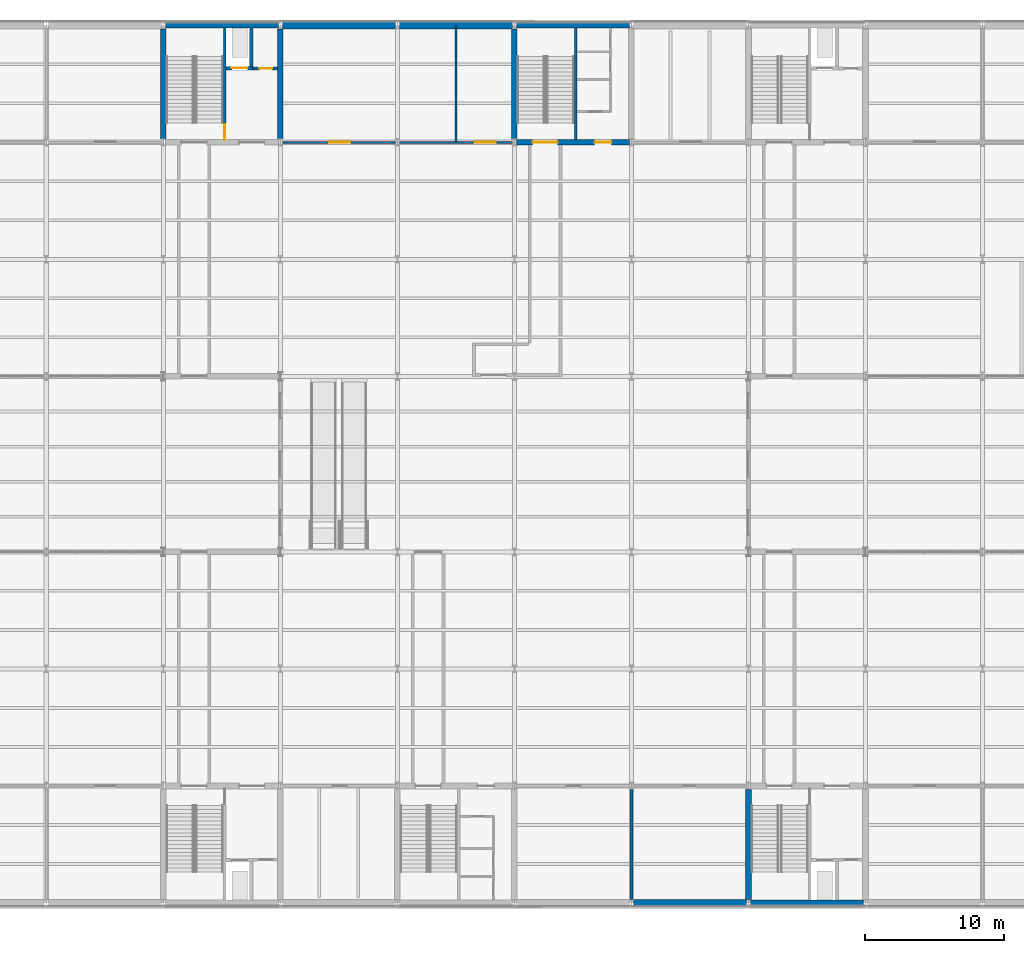
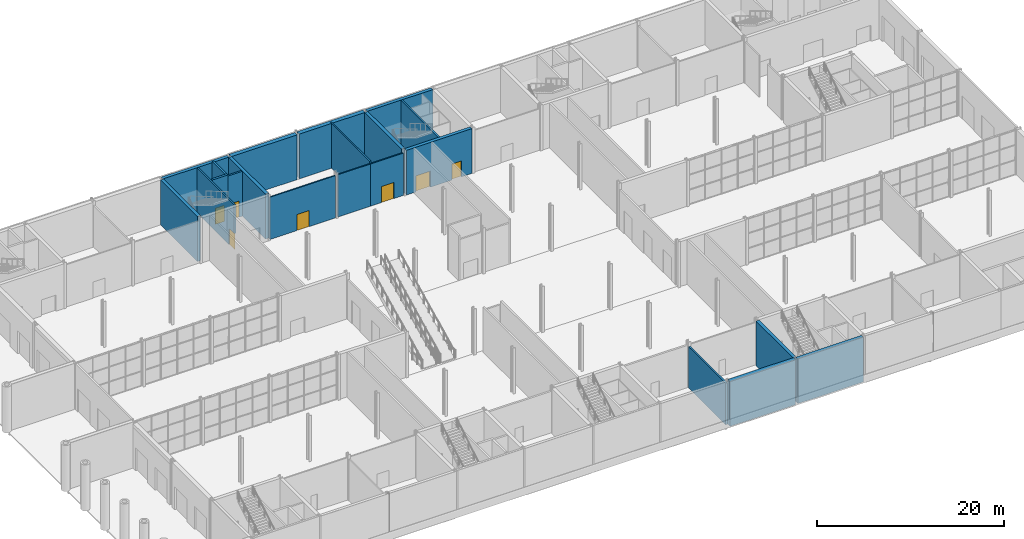
# One storey, part 33 of 55: 21 walls, 7 doors, 7 openings.
"""IFC4 building model written with IfcOpenShell, lengths in metres."""

from ifc_helpers import new_model, si_unit, direction, frame, frame_2d, origin, place, context, subcontext, project, spatial, rectangle, extrude, material, layer, layer_set, type_object, element, fill, save


model = new_model("IFC4")

# Units and contexts
model_context = context("Model", 3, precision=1e-05, world=origin(), true_north=direction((0.0, 1.0)))
body_context = subcontext(model_context, "Body", "Model", "MODEL_VIEW")
ifc_project = project(units=[si_unit("LENGTHUNIT", "METRE"), si_unit("AREAUNIT", "SQUARE_METRE"), si_unit("VOLUMEUNIT", "CUBIC_METRE"), si_unit("PLANEANGLEUNIT", "RADIAN"), si_unit("MASSUNIT", "GRAM", prefix="KILO")], contexts=[model_context])

# Site, building, storey
site_placement = place(None, origin())
site = spatial("IfcSite", under=ifc_project, at=site_placement, CompositionType="ELEMENT")
building_placement = place(site_placement, origin())
building = spatial("IfcBuilding", under=site, at=building_placement, Name="Galleria Vessillo Department Store", CompositionType="ELEMENT")
storey_placement = place(building_placement, origin())
storey = spatial("IfcBuildingStorey", under=building, at=storey_placement, Name="L00", CompositionType="ELEMENT", Elevation=0.0)

# Wall, opening, door
ifc_material_1 = material(Name="Solid clay block masonry", Category="masonry")
ifc_layer_1 = layer(ifc_material_1, 0.25)
ifc_layer_set_1 = layer_set([ifc_layer_1], Name="Solid clay block masonry")
wall_type_1 = type_object("IfcWallType", Name="Lift shaft wall 250 mm", PredefinedType="SOLIDWALL", material=ifc_layer_set_1)
wall_1_placement = place(storey_placement, frame((38.10009765625, 59.925048828125, 0.0), z_axis=(0.0, 0.0, 1.0), x_axis=(1.0, 0.0, 0.0)))
wall_1 = element("IfcWall", 1, at=wall_1_placement, inside=storey, type_object=wall_type_1, Name="Lift shaft wall LP4 landing side L00", PredefinedType="SOLIDWALL", context=body_context, shape_type="SweptSolid", body=[
    extrude(rectangle(XDim=1.949951171875, YDim=0.25, at=frame_2d((0.97509765625, 0.0))), origin(), (0.0, 0.0, 1.0), 6.0),
])
opening_1_placement = place(wall_1_placement, frame((0.4248046875, 0.0, 0.0)))
opening_1 = element("IfcOpeningElement", 2, at=opening_1_placement, cuts=wall_1, Name="Opening LD027", PredefinedType="OPENING", context=body_context, shape_type="SweptSolid", body=[
    extrude(rectangle(XDim=1.10009765625, YDim=2.10009765625, at=frame_2d((0.550048828125, 1.050048828125))), frame((0.0, 0.135009765625, 0.0), z_axis=(0.0, -1.0, 0.0), x_axis=(1.0, 0.0, 0.0)), (0.0, 0.0, 1.0), 0.27001953125),
])
ifc_material_2 = material(Name="Stainless steel lift door panel", Category="steel")
door_type_1 = type_object("IfcDoorType", Name="Lift landing door LD110 sliding 1100 x 2100", OperationType="SLIDING_TO_LEFT", PredefinedType="DOOR", material=ifc_material_2)
door_1_placement = place(opening_1_placement, frame((1.10009765625, 0.0, 0.0), z_axis=(0.0, 0.0, 1.0), x_axis=(-1.0, 0.0, 0.0)))
door_1 = element("IfcDoor", 3, at=door_1_placement, inside=storey, type_object=door_type_1, Name="Lift landing door LP4 L00", OperationType="SLIDING_TO_RIGHT", OverallHeight=2.10009765625, OverallWidth=1.10009765625, PredefinedType="DOOR", context=body_context, shape_type="SweptSolid", body=[
    extrude(rectangle(XDim=1.10009765625, YDim=2.10009765625, at=frame_2d((0.550048828125, 1.050048828125))), frame((0.0, 0.02490234375, 0.0), z_axis=(0.0, -1.0, 0.0), x_axis=(1.0, 0.0, 0.0)), (0.0, 0.0, 1.0), 0.050048828125),
])
fill(opening_1, door_1)

# Walls
wall_2_placement = place(storey_placement, frame((39.925048828125, 62.800048828125, 0.0), z_axis=(0.0, 0.0, 1.0), x_axis=(0.0, -1.0, 0.0)))
element("IfcWall", 4, at=wall_2_placement, inside=storey, type_object=wall_type_1, Name="Lift shaft wall LP4 L00", PredefinedType="SOLIDWALL", context=body_context, shape_type="SweptSolid", body=[
    extrude(rectangle(XDim=2.75, YDim=0.25, at=frame_2d((1.375, 0.0))), origin(), (0.0, 0.0, 1.0), 6.0),
])
ifc_material_3 = material(Name="Concrete C32/40 reinforced", Category="concrete")
ifc_layer_2 = layer(ifc_material_3, 0.39990234375)
ifc_layer_set_2 = layer_set([ifc_layer_2], Name="Concrete C32/40 reinforced")
wall_type_2 = type_object("IfcWallType", Name="Reinforced concrete core wall 400 mm", PredefinedType="SHEAR", material=ifc_layer_set_2)
for number, where, z_axis, x_axis, name in (
    (5, (33.60009765625, 54.85009765625, 0.0), (0.0, 0.0, 1.0), (0.0, 1.0, 0.0), "S-CW-PC-NM-WEST-L00"),
    (6, (42.0, 54.85009765625, 0.0), (0.0, 0.0, 1.0), (0.0, 1.0, 0.0), "S-CW-PC-NM-EAST-L00"),
    (7, (75.60009765625, 0.25, 0.0), (0.0, 0.0, 1.0), (0.0, 1.0, 0.0), "S-CW-PC-SE-WEST-L00"),
):
    element("IfcWall", number, at=place(storey_placement, frame(where, z_axis=z_axis, x_axis=x_axis)), inside=storey, type_object=wall_type_2, Name=name, PredefinedType="SHEAR", context=body_context, shape_type="SweptSolid", body=[
        extrude(rectangle(XDim=7.89990234375, YDim=0.39990234375, at=frame_2d((3.949951171875, 0.0))), origin(), (0.0, 0.0, 1.0), 5.85009765625),
    ])

# Wall, openings, doors
wall_3_placement = place(storey_placement, frame((58.949951171875, 54.60009765625, 0.0), z_axis=(0.0, 0.0, 1.0), x_axis=(1.0, 0.0, 0.0)))
wall_3 = element("IfcWall", 8, at=wall_3_placement, inside=storey, type_object=wall_type_2, Name="S-CW-PC-NC-INTERIOR-L00", PredefinedType="SHEAR", context=body_context, shape_type="SweptSolid", body=[
    extrude(rectangle(XDim=8.10009765625, YDim=0.39990234375, at=frame_2d((4.050048828125, 0.0))), origin(), (0.0, 0.0, 1.0), 5.85009765625),
])
opening_2_placement = place(wall_3_placement, frame((5.599853515625, 0.0, 0.0)))
opening_2 = element("IfcOpeningElement", 9, at=opening_2_placement, cuts=wall_3, Name="Opening D5208", PredefinedType="OPENING", context=body_context, shape_type="SweptSolid", body=[
    extrude(rectangle(XDim=1.199951171875, YDim=2.10009765625, at=frame_2d((0.60009765625, 1.050048828125))), frame((0.0, 0.2099609375, 0.0), z_axis=(0.0, -1.0, 0.0), x_axis=(1.0, 0.0, 0.0)), (0.0, 0.0, 1.0), 0.419921875),
])
opening_3_placement = place(wall_3_placement, frame((1.14990234375, 0.0, 0.0)))
opening_3 = element("IfcOpeningElement", 10, at=opening_3_placement, cuts=wall_3, Name="Opening D5348", PredefinedType="OPENING", context=body_context, shape_type="SweptSolid", body=[
    extrude(rectangle(XDim=1.800048828125, YDim=2.10009765625, at=frame_2d((0.89990234375, 1.050048828125))), frame((0.0, 0.2099609375, 0.0), z_axis=(0.0, -1.0, 0.0), x_axis=(1.0, 0.0, 0.0)), (0.0, 0.0, 1.0), 0.419921875),
])
ifc_material_4 = material(Name="Fire-rated steel door leaf", Category="steel")
door_type_2 = type_object("IfcDoorType", Name="Door D120F fire door 1200 x 2100", OperationType="SINGLE_SWING_LEFT", PredefinedType="DOOR", material=ifc_material_4)
door_2_placement = place(opening_2_placement, origin())
door_2 = element("IfcDoor", 11, at=door_2_placement, inside=storey, type_object=door_type_2, Name="Lobby door PC-NC-WC-FLOOR L00", OperationType="SINGLE_SWING_LEFT", OverallHeight=2.10009765625, OverallWidth=1.199951171875, PredefinedType="DOOR", context=body_context, shape_type="SweptSolid", body=[
    extrude(rectangle(XDim=1.199951171875, YDim=2.10009765625, at=frame_2d((0.60009765625, 1.050048828125))), frame((0.0, 0.02490234375, 0.0), z_axis=(0.0, -1.0, 0.0), x_axis=(1.0, 0.0, 0.0)), (0.0, 0.0, 1.0), 0.050048828125),
])
fill(opening_2, door_2)
ifc_material_5 = material(Name="Fire-rated steel door leaf", Category="steel")
door_type_3 = type_object("IfcDoorType", Name="Door D180F double leaf 1800 x 2100", OperationType="DOUBLE_DOOR_SINGLE_SWING", PredefinedType="DOOR", material=ifc_material_5)
door_3_placement = place(opening_3_placement, frame((1.800048828125, 0.0, 0.0), z_axis=(0.0, 0.0, 1.0), x_axis=(-1.0, 0.0, 0.0)))
door_3 = element("IfcDoor", 12, at=door_3_placement, inside=storey, type_object=door_type_3, Name="Stair exit door X-ST11", OperationType="DOUBLE_DOOR_SINGLE_SWING", OverallHeight=2.10009765625, OverallWidth=1.800048828125, PredefinedType="DOOR", context=body_context, shape_type="SweptSolid", body=[
    extrude(rectangle(XDim=1.800048828125, YDim=2.10009765625, at=frame_2d((0.89990234375, 1.050048828125))), frame((0.0, 0.02490234375, 0.0), z_axis=(0.0, -1.0, 0.0), x_axis=(1.0, 0.0, 0.0)), (0.0, 0.0, 1.0), 0.050048828125),
])
fill(opening_3, door_3)

# Walls
wall_4_placement = place(storey_placement, frame((58.800048828125, 54.85009765625, 0.0), z_axis=(0.0, 0.0, 1.0), x_axis=(0.0, 1.0, 0.0)))
element("IfcWall", 13, at=wall_4_placement, inside=storey, type_object=wall_type_2, Name="S-CW-PC-NC-WEST-L00", PredefinedType="SHEAR", context=body_context, shape_type="SweptSolid", body=[
    extrude(rectangle(XDim=7.89990234375, YDim=0.39990234375, at=frame_2d((3.949951171875, 0.0))), origin(), (0.0, 0.0, 1.0), 5.85009765625),
])
ifc_material_6 = material(Name="Concrete C32/40 reinforced", Category="concrete")
ifc_layer_3 = layer(ifc_material_6, 0.39990234375)
ifc_layer_set_3 = layer_set([ifc_layer_3], Name="Concrete C32/40 reinforced")
wall_type_3 = type_object("IfcWallType", Name="Reinforced concrete core wall 400 mm, external", PredefinedType="SHEAR", material=ifc_layer_set_3)
for number, where, z_axis, x_axis, name in (
    (14, (33.75, 63.0, 0.0), (0.0, 0.0, 1.0), (1.0, 0.0, 0.0), "S-CW-PC-NM-PARTY-L00"),
    (15, (75.75, 0.0, 0.0), (0.0, 0.0, 1.0), (1.0, 0.0, 0.0), "S-CW-PC-SE-PARTY-L00"),
    (16, (58.949951171875, 63.0, 0.0), (0.0, 0.0, 1.0), (1.0, 0.0, 0.0), "S-CW-PC-NC-PARTY-L00"),
):
    element("IfcWall", number, at=place(storey_placement, frame(where, z_axis=z_axis, x_axis=x_axis)), inside=storey, type_object=wall_type_3, Name=name, PredefinedType="SHEAR", context=body_context, shape_type="SweptSolid", body=[
        extrude(rectangle(XDim=8.10009765625, YDim=0.39990234375, at=frame_2d((4.050048828125, 0.0))), origin(), (0.0, 0.0, 1.0), 5.85009765625),
    ])
ifc_material_7 = material(Name="Concrete C32/40 reinforced", Category="concrete")
ifc_layer_4 = layer(ifc_material_7, 0.5)
ifc_layer_set_4 = layer_set([ifc_layer_4], Name="Concrete C32/40 reinforced")
wall_type_4 = type_object("IfcWallType", Name="Reinforced concrete party wall 500 mm", PredefinedType="SHEAR", material=ifc_layer_set_4)
wall_5_placement = place(storey_placement, frame((67.349853515625, 0.0, 0.0), z_axis=(0.0, 0.0, 1.0), x_axis=(1.0, 0.0, 0.0)))
element("IfcWall", 17, at=wall_5_placement, inside=storey, type_object=wall_type_4, Name="S-PS-L00-06", PredefinedType="SHEAR", context=body_context, shape_type="SweptSolid", body=[
    extrude(rectangle(XDim=8.100341796875, YDim=0.5, at=frame_2d((4.05029296875, 0.0))), origin(), (0.0, 0.0, 1.0), 5.85009765625),
])
wall_6_placement = place(storey_placement, frame((42.14990234375, 63.0, 0.0), z_axis=(0.0, 0.0, 1.0), x_axis=(1.0, 0.0, 0.0)))
element("IfcWall", 18, at=wall_6_placement, inside=storey, type_object=wall_type_4, Name="S-PN-L00-04", PredefinedType="SHEAR", context=body_context, shape_type="SweptSolid", body=[
    extrude(rectangle(XDim=8.10009765625, YDim=0.5, at=frame_2d((4.050048828125, 0.0))), origin(), (0.0, 0.0, 1.0), 5.85009765625),
])
wall_7_placement = place(storey_placement, frame((50.5498046875, 63.0, 0.0), z_axis=(0.0, 0.0, 1.0), x_axis=(1.0, 0.0, 0.0)))
element("IfcWall", 19, at=wall_7_placement, inside=storey, type_object=wall_type_4, Name="S-PN-L00-05", PredefinedType="SHEAR", context=body_context, shape_type="SweptSolid", body=[
    extrude(rectangle(XDim=8.100341796875, YDim=0.5, at=frame_2d((4.05029296875, 0.0))), origin(), (0.0, 0.0, 1.0), 5.85009765625),
])

# Wall, opening, door
ifc_material_8 = material(Name="Concrete C32/40 reinforced", Category="concrete")
ifc_layer_5 = layer(ifc_material_8, 0.199951171875)
ifc_layer_set_5 = layer_set([ifc_layer_5], Name="Concrete C32/40 reinforced")
wall_type_5 = type_object("IfcWallType", Name="Reinforced concrete stair enclosure wall 200 mm", PredefinedType="SHEAR", material=ifc_layer_set_5)
wall_8_placement = place(storey_placement, frame((38.0, 62.800048828125, 0.0), z_axis=(0.0, 0.0, 1.0), x_axis=(0.0, -1.0, 0.0)))
wall_8 = element("IfcWall", 20, at=wall_8_placement, inside=storey, type_object=wall_type_5, Name="Stair enclosure wall PC-NM L00", PredefinedType="SHEAR", context=body_context, shape_type="SweptSolid", body=[
    extrude(rectangle(XDim=8.0, YDim=0.199951171875, at=frame_2d((4.0, 0.0))), origin(), (0.0, 0.0, 1.0), 5.85009765625),
])
opening_4_placement = place(wall_8_placement, frame((6.89990234375, 0.0, 0.0)))
opening_4 = element("IfcOpeningElement", 21, at=opening_4_placement, cuts=wall_8, Name="Opening D5104", PredefinedType="OPENING", context=body_context, shape_type="SweptSolid", body=[
    extrude(rectangle(XDim=1.11009765625, YDim=2.10009765625, at=frame_2d((0.554931640625, 1.050048828125))), frame((0.0, 0.10986328125, 0.0), z_axis=(0.0, -1.0, 0.0), x_axis=(1.0, 0.0, 0.0)), (0.0, 0.0, 1.0), 0.219970703125),
])
ifc_material_9 = material(Name="Fire-rated steel door leaf", Category="steel")
door_type_4 = type_object("IfcDoorType", Name="Door D110F stair door 1100 x 2100", OperationType="SINGLE_SWING_LEFT", PredefinedType="DOOR", material=ifc_material_9)
door_4_placement = place(opening_4_placement, origin())
door_4 = element("IfcDoor", 22, at=door_4_placement, inside=storey, type_object=door_type_4, Name="Stair door PC-NM-ST-LOBBY L00", OperationType="SINGLE_SWING_RIGHT", OverallHeight=2.10009765625, OverallWidth=1.10009765625, PredefinedType="DOOR", context=body_context, shape_type="SweptSolid", body=[
    extrude(rectangle(XDim=1.10009765625, YDim=2.10009765625, at=frame_2d((0.550048828125, 1.050048828125))), frame((0.0, 0.02490234375, 0.0), z_axis=(0.0, -1.0, 0.0), x_axis=(1.0, 0.0, 0.0)), (0.0, 0.0, 1.0), 0.050048828125),
])
fill(opening_4, door_4)

# Wall
wall_9_placement = place(storey_placement, frame((63.199951171875, 62.800048828125, 0.0), z_axis=(0.0, 0.0, 1.0), x_axis=(0.0, -1.0, 0.0)))
element("IfcWall", 23, at=wall_9_placement, inside=storey, type_object=wall_type_5, Name="Stair enclosure wall PC-NC L00", PredefinedType="SHEAR", context=body_context, shape_type="SweptSolid", body=[
    extrude(rectangle(XDim=8.0, YDim=0.199951171875, at=frame_2d((4.0, 0.0))), origin(), (0.0, 0.0, 1.0), 5.85009765625),
])

# Wall, opening, door
ifc_material_10 = material(Name="Hollow clay block masonry", Category="masonry")
ifc_layer_6 = layer(ifc_material_10, 0.199951171875)
ifc_layer_set_6 = layer_set([ifc_layer_6], Name="Hollow clay block masonry")
wall_type_6 = type_object("IfcWallType", Name="Riser and service room wall 200 mm", PredefinedType="PARTITIONING", material=ifc_layer_set_6)
wall_10_placement = place(storey_placement, frame((40.050048828125, 59.900146484375, 0.0), z_axis=(0.0, 0.0, 1.0), x_axis=(1.0, 0.0, 0.0)))
wall_10 = element("IfcWall", 24, at=wall_10_placement, inside=storey, type_object=wall_type_6, Name="Riser wall PC-NM-RISER L00", PredefinedType="PARTITIONING", context=body_context, shape_type="SweptSolid", body=[
    extrude(rectangle(XDim=1.75, YDim=0.199951171875, at=frame_2d((0.875, 0.0))), origin(), (0.0, 0.0, 1.0), 5.85009765625),
])
opening_5_placement = place(wall_10_placement, frame((0.449951171875, 0.0, 0.0)))
opening_5 = element("IfcOpeningElement", 25, at=opening_5_placement, cuts=wall_10, Name="Opening D5105", PredefinedType="OPENING", context=body_context, shape_type="SweptSolid", body=[
    extrude(rectangle(XDim=0.89990234375, YDim=2.10009765625, at=frame_2d((0.449951171875, 1.050048828125))), frame((0.0, 0.10986328125, 0.0), z_axis=(0.0, -1.0, 0.0), x_axis=(1.0, 0.0, 0.0)), (0.0, 0.0, 1.0), 0.219970703125),
])
ifc_material_11 = material(Name="Fire-rated steel door leaf", Category="steel")
door_type_5 = type_object("IfcDoorType", Name="Door DR90 riser access 900 x 2100", OperationType="SINGLE_SWING_LEFT", PredefinedType="DOOR", material=ifc_material_11)
door_5_placement = place(opening_5_placement, origin())
door_5 = element("IfcDoor", 26, at=door_5_placement, inside=storey, type_object=door_type_5, Name="Riser door PC-NM-RISER-D L00", OperationType="SINGLE_SWING_RIGHT", OverallHeight=2.10009765625, OverallWidth=0.89990234375, PredefinedType="DOOR", context=body_context, shape_type="SweptSolid", body=[
    extrude(rectangle(XDim=0.89990234375, YDim=2.10009765625, at=frame_2d((0.449951171875, 1.050048828125))), frame((0.0, 0.02490234375, 0.0), z_axis=(0.0, -1.0, 0.0), x_axis=(1.0, 0.0, 0.0)), (0.0, 0.0, 1.0), 0.050048828125),
])
fill(opening_5, door_5)

# Walls
ifc_material_12 = material(Name="Concrete blockwork", Category="masonry")
ifc_layer_7 = layer(ifc_material_12, 0.215087890625)
ifc_layer_set_7 = layer_set([ifc_layer_7], Name="Concrete blockwork")
wall_type_7 = type_object("IfcWallType", Name="Security room blockwork wall 215 mm", PredefinedType="SOLIDWALL", material=ifc_layer_set_7)
wall_11_placement = place(storey_placement, frame((67.199951171875, 0.25, 0.0), z_axis=(0.0, 0.0, 1.0), x_axis=(0.0, 1.0, 0.0)))
element("IfcWall", 27, at=wall_11_placement, inside=storey, type_object=wall_type_7, Name="Partition wall PT9 on L00 no. 023", PredefinedType="SOLIDWALL", context=body_context, shape_type="SweptSolid", body=[
    extrude(rectangle(XDim=7.89990234375, YDim=0.215087890625, at=frame_2d((3.949951171875, 0.0))), origin(), (0.0, 0.0, 1.0), 5.41015625),
])
ifc_material_13 = material(Name="Concrete blockwork", Category="masonry")
ifc_layer_8 = layer(ifc_material_13, 0.14990234375)
ifc_layer_set_8 = layer_set([ifc_layer_8], Name="Concrete blockwork")
wall_type_8 = type_object("IfcWallType", Name="Stockroom blockwork wall 150 mm", PredefinedType="SOLIDWALL", material=ifc_layer_set_8)
wall_12_placement = place(storey_placement, frame((54.60009765625, 54.60009765625, 0.0), z_axis=(0.0, 0.0, 1.0), x_axis=(0.0, 1.0, 0.0)))
element("IfcWall", 28, at=wall_12_placement, inside=storey, type_object=wall_type_8, Name="Partition wall PT4 on L00 no. 032", PredefinedType="SOLIDWALL", context=body_context, shape_type="SweptSolid", body=[
    extrude(rectangle(XDim=8.39990234375, YDim=0.14990234375, at=frame_2d((4.199951171875, 0.0))), origin(), (0.0, 0.0, 1.0), 5.85009765625),
])

# Wall, opening, door
wall_13_placement = place(storey_placement, frame((42.14990234375, 54.60009765625, 0.0), z_axis=(0.0, 0.0, 1.0), x_axis=(1.0, 0.0, 0.0)))
wall_13 = element("IfcWall", 29, at=wall_13_placement, inside=storey, type_object=wall_type_8, Name="Partition wall PT4 on L00 no. 033", PredefinedType="SOLIDWALL", context=body_context, shape_type="SweptSolid", body=[
    extrude(rectangle(XDim=8.10009765625, YDim=0.14990234375, at=frame_2d((4.050048828125, 0.0))), origin(), (0.0, 0.0, 1.0), 5.52001953125),
])
opening_6_placement = place(wall_13_placement, frame((3.35009765625, 0.0, 0.0)))
opening_6 = element("IfcOpeningElement", 30, at=opening_6_placement, cuts=wall_13, Name="Opening D2219", PredefinedType="OPENING", context=body_context, shape_type="SweptSolid", body=[
    extrude(rectangle(XDim=1.5, YDim=2.10009765625, at=frame_2d((0.75, 1.050048828125))), frame((0.0, 0.0849609375, 0.0), z_axis=(0.0, -1.0, 0.0), x_axis=(1.0, 0.0, 0.0)), (0.0, 0.0, 1.0), 0.169921875),
])
ifc_material_14 = material(Name="Steel fire door leaf", Category="steel")
door_type_6 = type_object("IfcDoorType", Name="Stockroom fire door 1500 double leaf", OperationType="DOUBLE_DOOR_SINGLE_SWING", PredefinedType="DOOR", material=ifc_material_14)
door_6_placement = place(opening_6_placement, origin())
door_6 = element("IfcDoor", 31, at=door_6_placement, inside=storey, type_object=door_type_6, Name="Door D2219", OperationType="DOUBLE_DOOR_SINGLE_SWING", OverallHeight=2.10009765625, OverallWidth=1.5, PredefinedType="DOOR", context=body_context, shape_type="SweptSolid", body=[
    extrude(rectangle(XDim=1.5, YDim=2.10009765625, at=frame_2d((0.75, 1.050048828125))), frame((0.0, 0.02490234375, 0.0), z_axis=(0.0, -1.0, 0.0), x_axis=(1.0, 0.0, 0.0)), (0.0, 0.0, 1.0), 0.050048828125),
])
fill(opening_6, door_6)

# Wall
wall_14_placement = place(storey_placement, frame((50.5498046875, 54.60009765625, 0.0), z_axis=(0.0, 0.0, 1.0), x_axis=(1.0, 0.0, 0.0)))
element("IfcWall", 32, at=wall_14_placement, inside=storey, type_object=wall_type_8, Name="Partition wall PT4 on L00 no. 034", PredefinedType="SOLIDWALL", context=body_context, shape_type="SweptSolid", body=[
    extrude(rectangle(XDim=4.05029296875, YDim=0.14990234375, at=frame_2d((2.025146484375, 0.0))), origin(), (0.0, 0.0, 1.0), 5.52001953125),
])

# Wall, opening, door
wall_15_placement = place(storey_placement, frame((54.60009765625, 54.60009765625, 0.0), z_axis=(0.0, 0.0, 1.0), x_axis=(1.0, 0.0, 0.0)))
wall_15 = element("IfcWall", 33, at=wall_15_placement, inside=storey, type_object=wall_type_8, Name="Partition wall PT4 on L00 no. 035", PredefinedType="SOLIDWALL", context=body_context, shape_type="SweptSolid", body=[
    extrude(rectangle(XDim=4.050048828125, YDim=0.14990234375, at=frame_2d((2.02490234375, 0.0))), origin(), (0.0, 0.0, 1.0), 5.52001953125),
])
opening_7_placement = place(wall_15_placement, frame((1.35009765625, 0.0, 0.0)))
opening_7 = element("IfcOpeningElement", 34, at=opening_7_placement, cuts=wall_15, Name="Opening D2220", PredefinedType="OPENING", context=body_context, shape_type="SweptSolid", body=[
    extrude(rectangle(XDim=1.5, YDim=2.10009765625, at=frame_2d((0.75, 1.050048828125))), frame((0.0, 0.0849609375, 0.0), z_axis=(0.0, -1.0, 0.0), x_axis=(1.0, 0.0, 0.0)), (0.0, 0.0, 1.0), 0.169921875),
])
door_7_placement = place(opening_7_placement, origin())
door_7 = element("IfcDoor", 35, at=door_7_placement, inside=storey, type_object=door_type_6, Name="Door D2220", OperationType="DOUBLE_DOOR_SINGLE_SWING", OverallHeight=2.10009765625, OverallWidth=1.5, PredefinedType="DOOR", context=body_context, shape_type="SweptSolid", body=[
    extrude(rectangle(XDim=1.5, YDim=2.10009765625, at=frame_2d((0.75, 1.050048828125))), frame((0.0, 0.02490234375, 0.0), z_axis=(0.0, -1.0, 0.0), x_axis=(1.0, 0.0, 0.0)), (0.0, 0.0, 1.0), 0.050048828125),
])
fill(opening_7, door_7)

save(model, "model.ifc")
